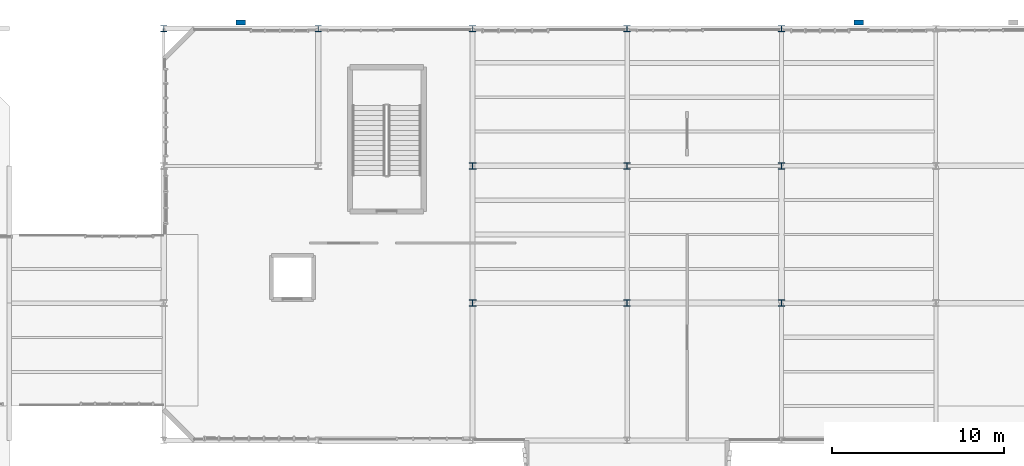
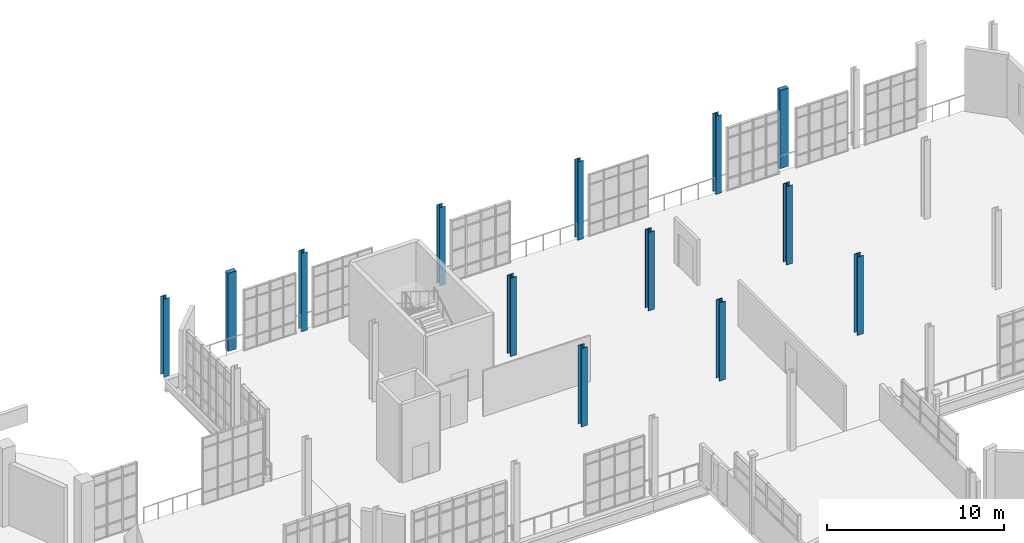
# One storey, part 11 of 142: 13 columns.
"""IFC4 building model written with IfcOpenShell, lengths in metres."""

from ifc_helpers import new_model, si_unit, direction, frame, origin, origin_2d, place, context, subcontext, project, spatial, rectangle, i_section, extrude, material, material_profile, profile_set, type_object, element, save


model = new_model("IFC4")

# Units and contexts
model_context = context("Model", 3, precision=1e-05, world=origin(), true_north=direction((0.0, 1.0)))
body_context = subcontext(model_context, "Body", "Model", "MODEL_VIEW")
ifc_project = project(units=[si_unit("LENGTHUNIT", "METRE"), si_unit("AREAUNIT", "SQUARE_METRE"), si_unit("VOLUMEUNIT", "CUBIC_METRE"), si_unit("PLANEANGLEUNIT", "RADIAN"), si_unit("MASSUNIT", "GRAM", prefix="KILO"), si_unit("THERMODYNAMICTEMPERATUREUNIT", "KELVIN"), si_unit("POWERUNIT", "WATT")], contexts=[model_context])

# Site, building, storey
site_placement = place(None, origin())
site = spatial("IfcSite", under=ifc_project, at=site_placement, CompositionType="ELEMENT")
building_placement = place(site_placement, origin())
building = spatial("IfcBuilding", under=site, at=building_placement, Name="Zelmaris Science Centre", CompositionType="ELEMENT")
storey_placement = place(building_placement, frame((0.0, 0.0, 5.39990234375)))
storey = spatial("IfcBuildingStorey", under=building, at=storey_placement, Name="L01", CompositionType="ELEMENT", Elevation=5.39990234375)

# Columns
ifc_material_1 = material(Name="Steel ASTM A992 Grade 50", Category="steel")
ifc_material_profile_1 = material_profile(ifc_material_1, i_section(OverallWidth=0.39892578125, OverallDepth=0.385986328125, WebThickness=0.02099609375, FlangeThickness=0.033203125, FilletRadius=0.014892578125, at=origin_2d()), Name="W14X176")
ifc_profile_set_1 = profile_set([ifc_material_profile_1], Name="Steel ASTM A992 Grade 50")
column_type_1 = type_object("IfcColumnType", Name="Column C-04 W14X176", PredefinedType="COLUMN", material=ifc_profile_set_1)
for number, where, z_axis, x_axis, name in (
    (1, (72.0, 72.0, 0.0), (0.0, 0.0, 1.0), (1.0, 0.0, 0.0), "Column V5-C-72-72 L01"),
    (2, (72.0, 80.0, 0.0), (0.0, 0.0, 1.0), (1.0, 0.0, 0.0), "Column V5-C-72-80 L01"),
    (3, (81.0, 72.0, 0.0), (0.0, 0.0, 1.0), (1.0, 0.0, 0.0), "Column V5-C-81-72 L01"),
    (4, (81.0, 80.0, 0.0), (0.0, 0.0, 1.0), (1.0, 0.0, 0.0), "Column V5-C-81-80 L01"),
    (5, (90.0, 72.0, 0.0), (0.0, 0.0, 1.0), (1.0, 0.0, 0.0), "Column V5-C-90-72 L01"),
    (6, (90.0, 80.0, 0.0), (0.0, 0.0, 1.0), (1.0, 0.0, 0.0), "Column V5-C-90-80 L01"),
):
    element("IfcColumn", number, at=place(storey_placement, frame(where, z_axis=z_axis, x_axis=x_axis)), inside=storey, type_object=column_type_1, Name=name, PredefinedType="COLUMN", context=body_context, shape_type="SweptSolid", body=[
        extrude(i_section(OverallWidth=0.39892578125, OverallDepth=0.385986328125, WebThickness=0.02099609375, FlangeThickness=0.033203125, FilletRadius=0.014892578125, at=origin_2d()), origin(), (0.0, 0.0, 1.0), 5.400146484375),
    ])
ifc_material_profile_2 = material_profile(ifc_material_1, i_section(OverallWidth=0.367919921875, OverallDepth=0.35595703125, WebThickness=0.01123046875, FlangeThickness=0.01806640625, FilletRadius=0.014892578125, at=origin_2d()), Name="W14X90")
ifc_profile_set_2 = profile_set([ifc_material_profile_2], Name="Steel ASTM A992 Grade 50")
column_type_2 = type_object("IfcColumnType", Name="Column C-07 W14X90", PredefinedType="COLUMN", material=ifc_profile_set_2)
for number, where, z_axis, x_axis, name in (
    (7, (54.0, 88.0, 0.0), (0.0, 0.0, 1.0), (1.0, 0.0, 0.0), "Column V5-C-54-88 L01"),
    (8, (63.0, 88.0, 0.0), (0.0, 0.0, 1.0), (1.0, 0.0, 0.0), "Column V5-C-63-88 L01"),
    (9, (72.0, 88.0, 0.0), (0.0, 0.0, 1.0), (1.0, 0.0, 0.0), "Column V5-C-72-88 L01"),
    (10, (81.0, 88.0, 0.0), (0.0, 0.0, 1.0), (1.0, 0.0, 0.0), "Column V5-C-81-88 L01"),
    (11, (90.0, 88.0, 0.0), (0.0, 0.0, 1.0), (1.0, 0.0, 0.0), "Column V5-C-90-88 L01"),
):
    element("IfcColumn", number, at=place(storey_placement, frame(where, z_axis=z_axis, x_axis=x_axis)), inside=storey, type_object=column_type_2, Name=name, PredefinedType="COLUMN", context=body_context, shape_type="SweptSolid", body=[
        extrude(i_section(OverallWidth=0.367919921875, OverallDepth=0.35595703125, WebThickness=0.01123046875, FlangeThickness=0.01806640625, FilletRadius=0.014892578125, at=origin_2d()), origin(), (0.0, 0.0, 1.0), 5.400146484375),
    ])
ifc_material_2 = material(Name="Yucatan limestone ashlar masonry", Category="masonry")
ifc_material_profile_3 = material_profile(ifc_material_2, rectangle(XDim=0.550048828125, YDim=0.300048828125, at=origin_2d()), Name="PIL-LIM-550X300")
ifc_profile_set_3 = profile_set([ifc_material_profile_3], Name="Yucatan limestone ashlar masonry")
column_type_3 = type_object("IfcColumnType", Name="Pilaster PL-03 PIL-LIM-550X300", PredefinedType="PILASTER", material=ifc_profile_set_3)
for number, where, z_axis, x_axis, name in (
    (12, (58.5, 88.35009765625, 0.0), (0.0, 0.0, 1.0), (1.0, 0.0, 0.0), "Limestone pilaster PIL-V5N-1 L01"),
    (13, (94.5, 88.35009765625, 0.0), (0.0, 0.0, 1.0), (1.0, 0.0, 0.0), "Limestone pilaster PIL-V5N-2 L01"),
):
    element("IfcColumn", number, at=place(storey_placement, frame(where, z_axis=z_axis, x_axis=x_axis)), inside=storey, type_object=column_type_3, Name=name, PredefinedType="PILASTER", context=body_context, shape_type="SweptSolid", body=[
        extrude(rectangle(XDim=0.550048828125, YDim=0.300048828125, at=origin_2d()), origin(), (0.0, 0.0, 1.0), 5.400146484375),
    ])

save(model, "model.ifc")
